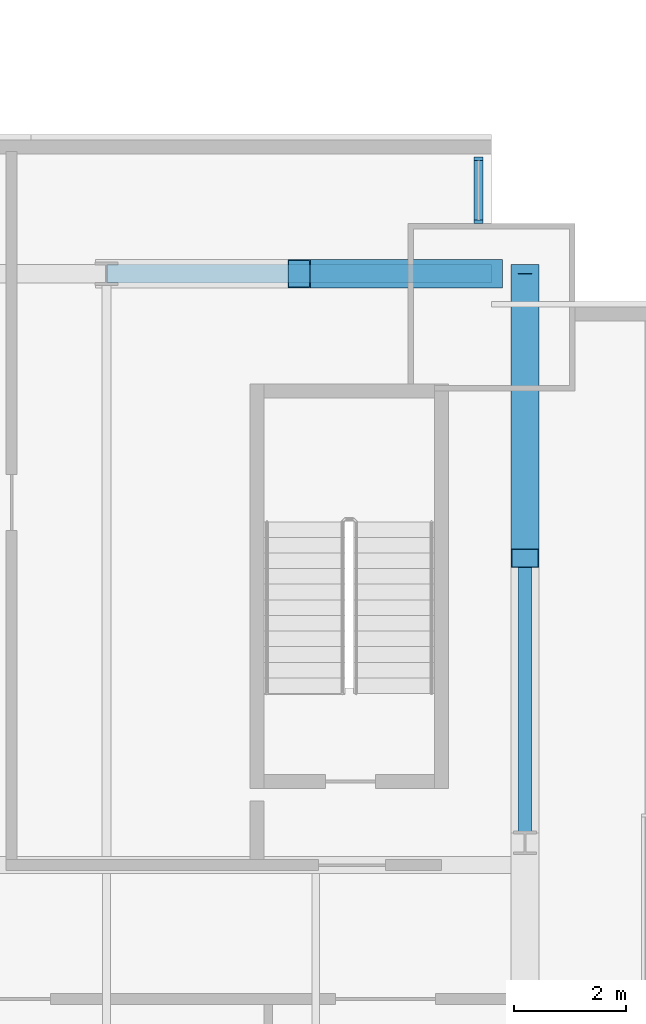
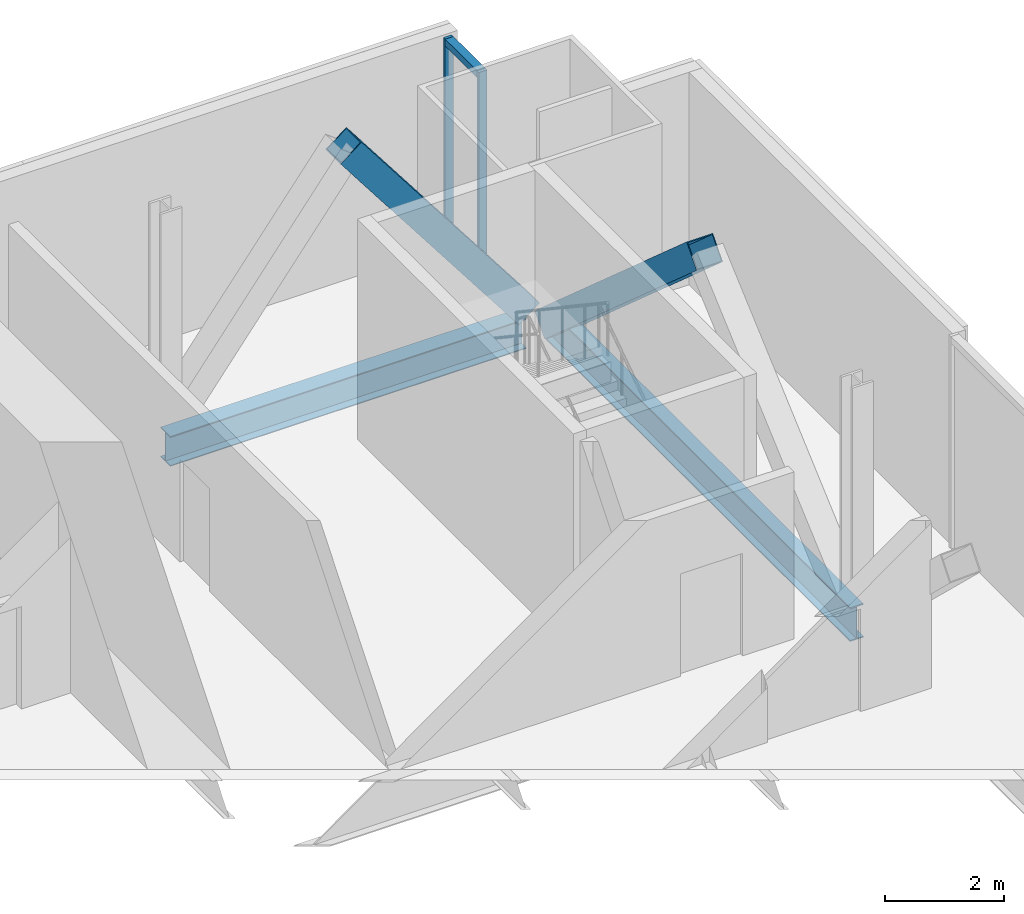
# One storey, part 13 of 21: 5 members, 2 beams, 1 element without a shape of its own.
"""IFC4 building model written with IfcOpenShell, lengths in metres."""

from ifc_helpers import new_model, si_unit, direction, frame, origin, origin_2d, place, context, subcontext, project, spatial, rectangle, hollow_rectangle, i_section, extrude, material, material_profile, profile_set, type_object, element, aggregate, save


model = new_model("IFC4")

# Units and contexts
model_context = context("Model", 3, precision=1e-05, world=origin(), true_north=direction((0.0, 1.0)))
body_context = subcontext(model_context, "Body", "Model", "MODEL_VIEW")
ifc_project = project(units=[si_unit("LENGTHUNIT", "METRE"), si_unit("AREAUNIT", "SQUARE_METRE"), si_unit("VOLUMEUNIT", "CUBIC_METRE"), si_unit("PLANEANGLEUNIT", "RADIAN"), si_unit("MASSUNIT", "GRAM", prefix="KILO")], contexts=[model_context])

# Site, building, storey
site_placement = place(None, origin())
site = spatial("IfcSite", under=ifc_project, at=site_placement, CompositionType="ELEMENT")
building_placement = place(site_placement, origin())
building = spatial("IfcBuilding", under=site, at=building_placement, Name="Bicima Exchange Tower", CompositionType="ELEMENT")
storey_placement = place(building_placement, frame((0.0, 0.0, 66.5)))
storey = spatial("IfcBuildingStorey", under=building, at=storey_placement, Name="L13", CompositionType="ELEMENT", Elevation=66.5)

# Beam
ifc_material_1 = material(Name="Steel ASTM A992 Gr 50", Category="steel")
ifc_material_profile_1 = material_profile(ifc_material_1, i_section(OverallWidth=0.256591796875, OverallDepth=0.693359375, WebThickness=0.014404296875, FlangeThickness=0.023681640625, at=origin_2d()))
ifc_profile_set_1 = profile_set([ifc_material_profile_1], Name="Steel ASTM A992 Gr 50")
beam_type_1 = type_object("IfcBeamType", Name="End girder W27x114", PredefinedType="BEAM", material=ifc_profile_set_1)
beam_1_placement = place(storey_placement, frame((33.60009765625, -2.39990234375, -0.49658203125), z_axis=(0.0, -1.0, 0.0), x_axis=(1.0, 0.0, 0.0)))
element("IfcBeam", 1, at=beam_1_placement, inside=storey, type_object=beam_type_1, Name="End girder", PredefinedType="BEAM", context=body_context, shape_type="SweptSolid", body=[
    extrude(i_section(OverallWidth=0.256591796875, OverallDepth=0.693359375, WebThickness=0.014404296875, FlangeThickness=0.023681640625, at=origin_2d()), origin(), (0.0, 0.0, 1.0), 10.2001953125),
])

# Curtain wall, members
ifc_material_2 = material(Name="Anodised bronze aluminium", Category="aluminium")
curtain_wall_type = type_object("IfcCurtainWallType", Name="Front glass wall", PredefinedType="NOTDEFINED", material=ifc_material_2)
curtain_wall_placement = place(storey_placement, origin())
curtain_wall = element("IfcCurtainWall", 2, at=curtain_wall_placement, inside=storey, type_object=curtain_wall_type, Name="Front glass wall L13 run 20", PredefinedType="NOTDEFINED")
ifc_material_profile_2 = material_profile(ifc_material_2, rectangle(XDim=0.159912109375, YDim=0.06005859375, at=origin_2d()))
ifc_profile_set_2 = profile_set([ifc_material_profile_2], Name="Anodised bronze aluminium")
member_type_1 = type_object("IfcMemberType", Name="Front glass wall mullion 60 x 160", PredefinedType="MULLION", material=ifc_profile_set_2)
member_1_placement = place(storey_placement, frame((32.77001953125, -1.469970703125, 0.0), z_axis=(0.0, 0.0, 1.0), x_axis=(-1.0, 0.0, 0.0)))
member_1 = element("IfcMember", 3, at=member_1_placement, type_object=member_type_1, Name="Front glass wall mullion 1", PredefinedType="MULLION", context=body_context, shape_type="SweptSolid", body=[
    extrude(rectangle(XDim=0.159912109375, YDim=0.06005859375, at=origin_2d()), origin(), (0.0, 0.0, 1.0), 4.35009765625),
])
member_2_placement = place(storey_placement, frame((32.77001953125, -0.340087890625, 0.0), z_axis=(0.0, 0.0, 1.0), x_axis=(-1.0, 0.0, 0.0)))
member_2 = element("IfcMember", 4, at=member_2_placement, type_object=member_type_1, Name="Front glass wall mullion 2", PredefinedType="MULLION", context=body_context, shape_type="SweptSolid", body=[
    extrude(rectangle(XDim=0.159912109375, YDim=0.06005859375, at=origin_2d()), origin(), (0.0, 0.0, 1.0), 4.35009765625),
])
ifc_material_profile_3 = material_profile(ifc_material_2, rectangle(XDim=0.159912109375, YDim=0.139892578125, at=origin_2d()))
ifc_profile_set_3 = profile_set([ifc_material_profile_3], Name="Anodised bronze aluminium")
member_type_2 = type_object("IfcMemberType", Name="Front glass wall transom 140 x 160", PredefinedType="USERDEFINED", material=ifc_profile_set_3)
member_3_placement = place(storey_placement, frame((32.77001953125, -1.43994140625, 4.280029296875), z_axis=(0.0, 1.0, 0.0), x_axis=(-1.0, 0.0, 0.0)))
member_3 = element("IfcMember", 5, at=member_3_placement, type_object=member_type_2, Name="Front glass wall transom 1.1", ObjectType="TRANSOM", PredefinedType="USERDEFINED", context=body_context, shape_type="SweptSolid", body=[
    extrude(rectangle(XDim=0.159912109375, YDim=0.139892578125, at=origin_2d()), origin(), (0.0, 0.0, 1.0), 1.06982421875),
])
aggregate(curtain_wall, [member_1, member_2, member_3])

# Members
ifc_material_3 = material(Name="Steel ASTM A572 Gr 50", Category="steel")
ifc_material_profile_4 = material_profile(ifc_material_3, hollow_rectangle(XDim=0.508056640625, YDim=0.508056640625, WallThickness=0.017822265625, at=origin_2d()))
ifc_profile_set_4 = profile_set([ifc_material_profile_4], Name="Steel ASTM A572 Gr 50")
member_type_3 = type_object("IfcMemberType", Name="Mega brace HSS20x20x3/4", PredefinedType="BRACE", material=ifc_profile_set_4)
member_4_placement = place(storey_placement, frame((33.0, -2.39990234375, 0.0), z_axis=(-0.608426120198, 0.0, 0.793610519248), x_axis=(0.0, -1.0, 0.0)))
element("IfcMember", 6, at=member_4_placement, inside=storey, type_object=member_type_3, Name="Mega brace rear", PredefinedType="BRACE", context=body_context, shape_type="SweptSolid", body=[
    extrude(hollow_rectangle(XDim=0.508056640625, YDim=0.508056640625, WallThickness=0.017822265625, at=origin_2d()), origin(), (0.0, 0.0, 1.0), 5.670166015625),
])
member_5_placement = place(storey_placement, frame((33.60009765625, -2.39990234375, -0.49658203125), z_axis=(0.0, -0.749844140428, 0.661614513948), x_axis=(1.0, 0.0, 0.0)))
element("IfcMember", 7, at=member_5_placement, inside=storey, type_object=member_type_3, Name="Mega brace east end", PredefinedType="BRACE", context=body_context, shape_type="SweptSolid", body=[
    extrude(hollow_rectangle(XDim=0.508056640625, YDim=0.508056640625, WallThickness=0.017822265625, at=origin_2d()), origin(), (0.0, 0.0, 1.0), 6.801513671875),
])

# Beam
ifc_material_profile_5 = material_profile(ifc_material_1, i_section(OverallWidth=0.3251953125, OverallDepth=0.612060546875, WebThickness=0.0126953125, FlangeThickness=0.01904296875, at=origin_2d()))
ifc_profile_set_5 = profile_set([ifc_material_profile_5], Name="Steel ASTM A992 Gr 50")
beam_type_2 = type_object("IfcBeamType", Name="Rear girder W24x104", PredefinedType="BEAM", material=ifc_profile_set_5)
beam_2_placement = place(storey_placement, frame((26.10009765625, -2.39990234375, -0.4560546875), z_axis=(1.0, 0.0, 0.0), x_axis=(0.0, 1.0, 0.0)))
element("IfcBeam", 8, at=beam_2_placement, inside=storey, type_object=beam_type_2, Name="Rear girder", PredefinedType="BEAM", context=body_context, shape_type="SweptSolid", body=[
    extrude(i_section(OverallWidth=0.3251953125, OverallDepth=0.612060546875, WebThickness=0.0126953125, FlangeThickness=0.01904296875, at=origin_2d()), origin(), (0.0, 0.0, 1.0), 6.89990234375),
])

save(model, "model.ifc")
